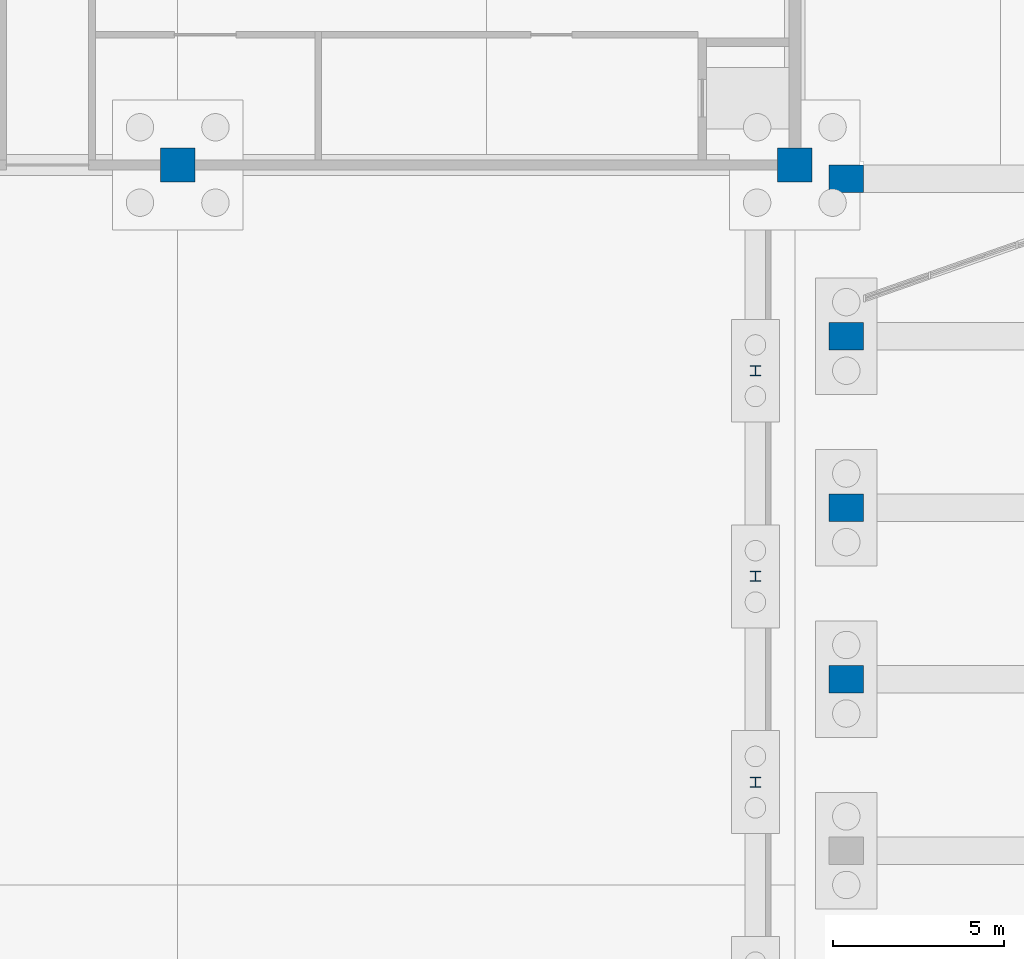
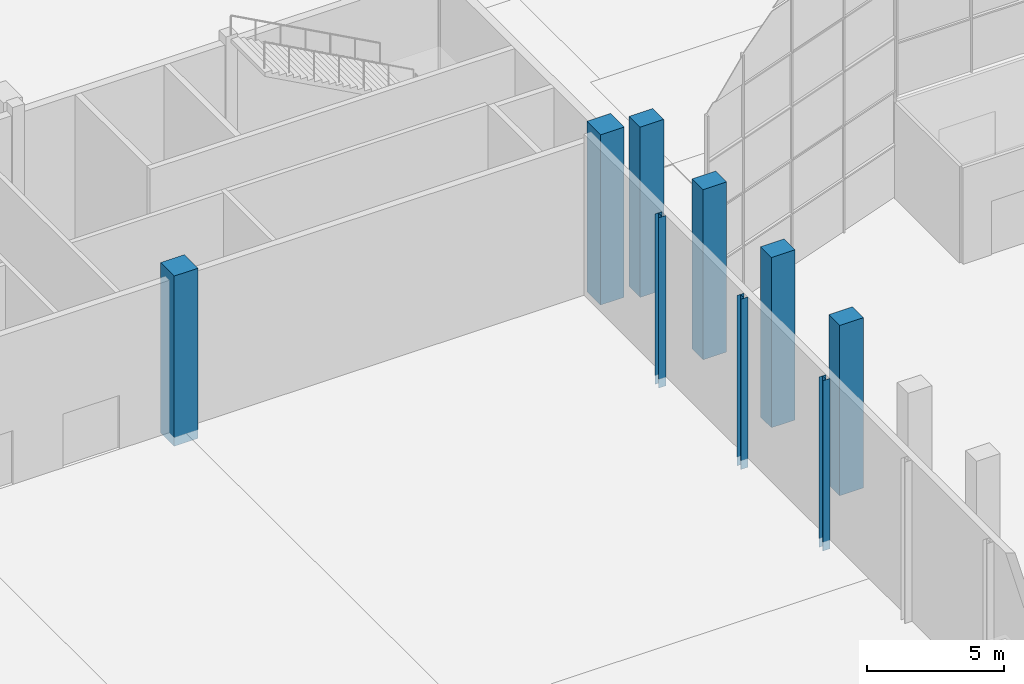
# One storey, part 44 of 239: 9 columns.
"""IFC4 building model written with IfcOpenShell, lengths in metres."""

from ifc_helpers import new_model, si_unit, direction, frame, origin, origin_2d, place, context, subcontext, project, spatial, rectangle, i_section, extrude, material, material_profile, profile_set, type_object, element, save


model = new_model("IFC4")

# Units and contexts
model_context = context("Model", 3, precision=1e-05, world=origin(), true_north=direction((0.0, 1.0)))
body_context = subcontext(model_context, "Body", "Model", "MODEL_VIEW")
ifc_project = project(units=[si_unit("LENGTHUNIT", "METRE"), si_unit("AREAUNIT", "SQUARE_METRE"), si_unit("VOLUMEUNIT", "CUBIC_METRE"), si_unit("PLANEANGLEUNIT", "RADIAN"), si_unit("MASSUNIT", "GRAM", prefix="KILO")], contexts=[model_context])

# Site, building, storey
site_placement = place(None, origin())
site = spatial("IfcSite", under=ifc_project, at=site_placement, CompositionType="ELEMENT")
building_placement = place(site_placement, origin())
building = spatial("IfcBuilding", under=site, at=building_placement, Name="Okhra Congress Centre", CompositionType="ELEMENT")
storey_placement = place(building_placement, origin())
storey = spatial("IfcBuildingStorey", under=building, at=storey_placement, Name="L00", CompositionType="ELEMENT", Elevation=0.0)

# Columns
ifc_material_1 = material(Name="Steel S355J2", Category="steel")
ifc_material_profile_1 = material_profile(ifc_material_1, i_section(OverallWidth=0.300048828125, OverallDepth=0.2900390625, WebThickness=0.008544921875, FlangeThickness=0.013916015625, at=origin_2d()), Name="HE 300 A")
ifc_profile_set_1 = profile_set([ifc_material_profile_1], Name="Steel S355J2")
column_type_1 = type_object("IfcColumnType", Name="HE 300 A", PredefinedType="COLUMN", material=ifc_profile_set_1)
for number, where, z_axis, x_axis, name in (
    (1, (152.85009765625, 198.0, -0.39990234375), (0.0, 0.0, 1.0), (1.0, 0.0, 0.0), "EH.COL.L00.WP36"),
    (2, (152.85009765625, 204.0, -0.39990234375), (0.0, 0.0, 1.0), (1.0, 0.0, 0.0), "EH.COL.L00.WP38"),
    (3, (152.85009765625, 210.0, -0.39990234375), (0.0, 0.0, 1.0), (1.0, 0.0, 0.0), "EH.COL.L00.WP40"),
):
    element("IfcColumn", number, at=place(storey_placement, frame(where, z_axis=z_axis, x_axis=x_axis)), inside=storey, type_object=column_type_1, Name=name, PredefinedType="COLUMN", context=body_context, shape_type="SweptSolid", body=[
        extrude(i_section(OverallWidth=0.300048828125, OverallDepth=0.2900390625, WebThickness=0.008544921875, FlangeThickness=0.013916015625, at=origin_2d()), origin(), (0.0, 0.0, 1.0), 7.599853515625),
    ])
ifc_material_2 = material(Name="Concrete C40/50", Category="concrete")
ifc_material_profile_2 = material_profile(ifc_material_2, rectangle(XDim=1.0, YDim=1.0, at=origin_2d()), Name="RC 1000x1000")
ifc_profile_set_2 = profile_set([ifc_material_profile_2], Name="Concrete C40/50")
column_type_2 = type_object("IfcColumnType", Name="RC column 1000x1000 C40/50", PredefinedType="COLUMN", material=ifc_profile_set_2)
for number, where, z_axis, x_axis, name in (
    (4, (136.0, 216.0, -0.39990234375), (0.0, 0.0, 1.0), (1.0, 0.0, 0.0), "EH.COL.L00.SC14"),
    (5, (154.0, 216.0, -0.39990234375), (0.0, 0.0, 1.0), (1.0, 0.0, 0.0), "EH.COL.L00.SC16"),
):
    element("IfcColumn", number, at=place(storey_placement, frame(where, z_axis=z_axis, x_axis=x_axis)), inside=storey, type_object=column_type_2, Name=name, PredefinedType="COLUMN", context=body_context, shape_type="SweptSolid", body=[
        extrude(rectangle(XDim=1.0, YDim=1.0, at=origin_2d()), origin(), (0.0, 0.0, 1.0), 7.599853515625),
    ])
ifc_material_profile_3 = material_profile(ifc_material_2, rectangle(XDim=1.0, YDim=0.800048828125, at=origin_2d()), Name="RC 1000x800")
ifc_profile_set_3 = profile_set([ifc_material_profile_3], Name="Concrete C40/50")
column_type_3 = type_object("IfcColumnType", Name="RC pier 1000x800 C40/50", PredefinedType="COLUMN", material=ifc_profile_set_3)
for number, where, z_axis, x_axis, name in (
    (6, (155.5, 201.0, -0.39990234375), (0.0, 0.0, 1.0), (1.0, 0.0, 0.0), "WG.COL.L00.pier-W25"),
    (7, (155.5, 206.0, -0.39990234375), (0.0, 0.0, 1.0), (1.0, 0.0, 0.0), "WG.COL.L00.pier-W26"),
    (8, (155.5, 211.0, -0.39990234375), (0.0, 0.0, 1.0), (1.0, 0.0, 0.0), "WG.COL.L00.pier-W27"),
    (9, (155.5, 215.60009765625, -0.39990234375), (0.0, 0.0, 1.0), (1.0, 0.0, 0.0), "WG.COL.L00.pier-W28"),
):
    element("IfcColumn", number, at=place(storey_placement, frame(where, z_axis=z_axis, x_axis=x_axis)), inside=storey, type_object=column_type_3, Name=name, PredefinedType="COLUMN", context=body_context, shape_type="SweptSolid", body=[
        extrude(rectangle(XDim=1.0, YDim=0.800048828125, at=origin_2d()), origin(), (0.0, 0.0, 1.0), 7.599853515625),
    ])

save(model, "model.ifc")
